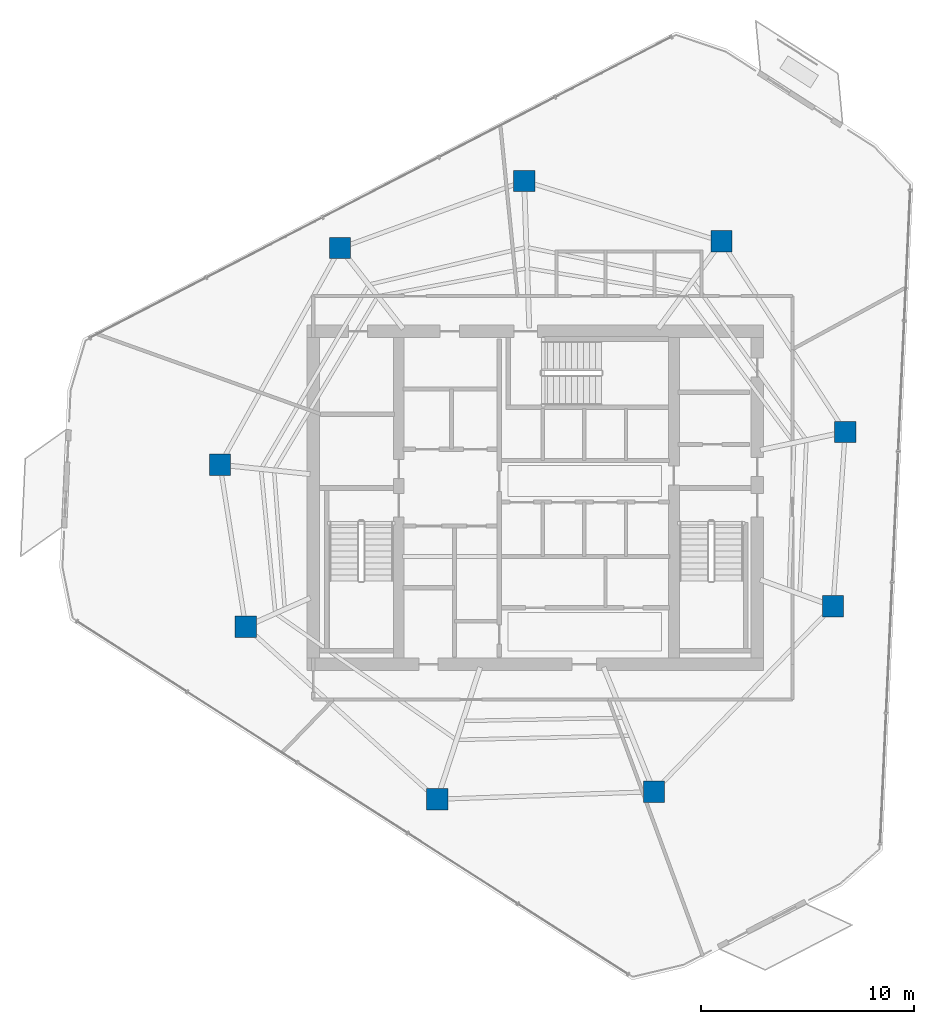
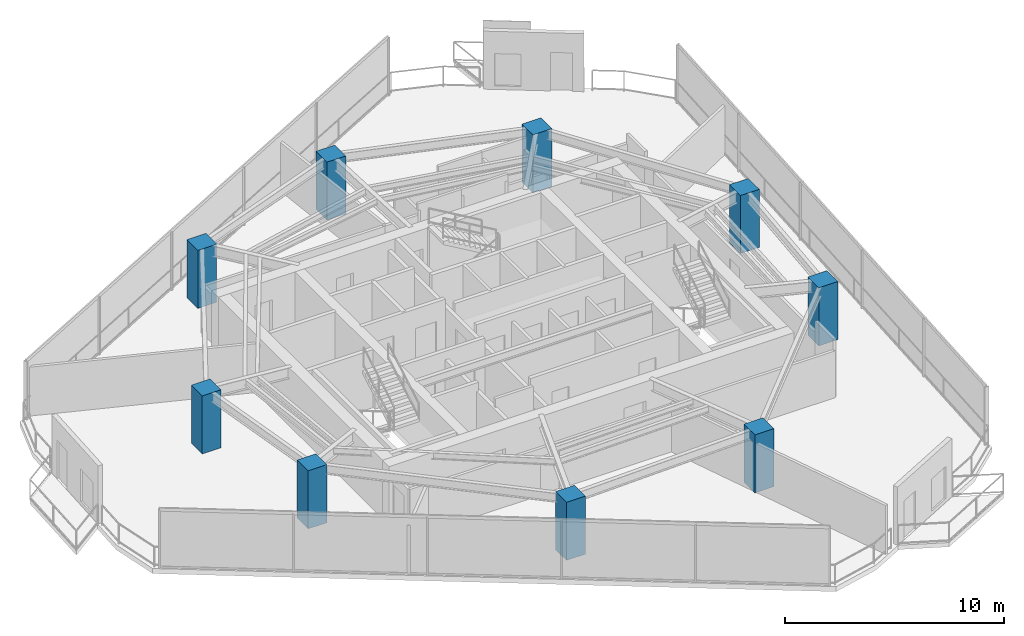
# One storey, part 1 of 20: 9 columns.
"""IFC4 building model written with IfcOpenShell, lengths in metres."""

from ifc_helpers import new_model, si_unit, direction, frame, origin, origin_2d, place, context, subcontext, project, spatial, rectangle, extrude, material, material_profile, profile_set, type_object, element, save


model = new_model("IFC4")

# Units and contexts
model_context = context("Model", 3, precision=1e-05, world=origin(), true_north=direction((0.0, 1.0)))
body_context = subcontext(model_context, "Body", "Model", "MODEL_VIEW")
ifc_project = project(units=[si_unit("LENGTHUNIT", "METRE"), si_unit("AREAUNIT", "SQUARE_METRE"), si_unit("VOLUMEUNIT", "CUBIC_METRE"), si_unit("PLANEANGLEUNIT", "RADIAN"), si_unit("MASSUNIT", "GRAM", prefix="KILO")], contexts=[model_context])

# Site, building, storey
site_placement = place(None, origin())
site = spatial("IfcSite", under=ifc_project, at=site_placement, CompositionType="ELEMENT")
building_placement = place(site_placement, origin())
building = spatial("IfcBuilding", under=site, at=building_placement, Name="Qarnah Convention Tower", CompositionType="ELEMENT")
storey_placement = place(building_placement, frame((0.0, 0.0, 168.89990234375)))
storey = spatial("IfcBuildingStorey", under=building, at=storey_placement, Name="L45", CompositionType="ELEMENT", Elevation=168.89990234375)

# Columns
ifc_material = material(Name="Concrete C60/75", Category="concrete")
ifc_material_profile = material_profile(ifc_material, rectangle(XDim=1.0, YDim=1.0, at=origin_2d()), Name="RC-COL-1000X1000")
ifc_profile_set = profile_set([ifc_material_profile], Name="Concrete C60/75")
column_type = type_object("IfcColumnType", Name="COL-Z3-1000", PredefinedType="COLUMN", material=ifc_profile_set)
for number, where, z_axis, x_axis, name in (
    (1, (51.72509765625, 29.487060546875, 0.0), (0.0, 0.0, 1.0), (1.0, 0.0, 0.0), "L45 plumb column PC-Z3-01"),
    (2, (45.928955078125, 38.4140625, 0.0), (0.0, 0.0, 1.0), (1.0, 0.0, 0.0), "L45 plumb column PC-Z3-02"),
    (3, (36.681884765625, 41.240966796875, 0.0), (0.0, 0.0, 1.0), (1.0, 0.0, 0.0), "L45 plumb column PC-Z3-03"),
    (4, (28.056884765625, 38.10205078125, 0.0), (0.0, 0.0, 1.0), (1.0, 0.0, 0.0), "L45 plumb column PC-Z3-04"),
    (5, (22.430908203125, 27.951904296875, 0.0), (0.0, 0.0, 1.0), (1.0, 0.0, 0.0), "L45 plumb column PC-Z3-05"),
    (6, (23.634033203125, 20.360107421875, 0.0), (0.0, 0.0, 1.0), (1.0, 0.0, 0.0), "L45 plumb column PC-Z3-06"),
    (7, (32.611083984375, 12.277099609375, 0.0), (0.0, 0.0, 1.0), (1.0, 0.0, 0.0), "L45 plumb column PC-Z3-07"),
    (8, (42.762939453125, 12.631103515625, 0.0), (0.0, 0.0, 1.0), (1.0, 0.0, 0.0), "L45 plumb column PC-Z3-08"),
    (9, (51.154052734375, 21.321044921875, 0.0), (0.0, 0.0, 1.0), (1.0, 0.0, 0.0), "L45 plumb column PC-Z3-09"),
):
    element("IfcColumn", number, at=place(storey_placement, frame(where, z_axis=z_axis, x_axis=x_axis)), inside=storey, type_object=column_type, Name=name, PredefinedType="COLUMN", context=body_context, shape_type="SweptSolid", body=[
        extrude(rectangle(XDim=1.0, YDim=1.0, at=origin_2d()), origin(), (0.0, 0.0, 1.0), 3.239990234375),
    ])

save(model, "model.ifc")
